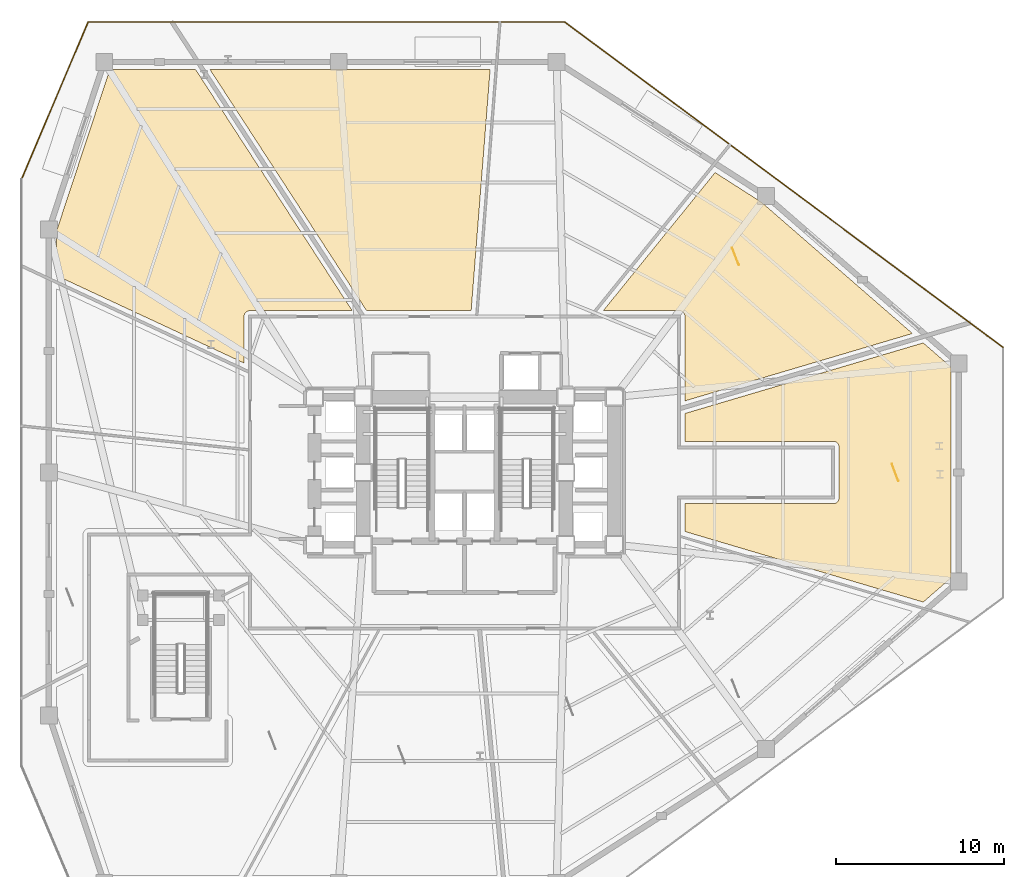
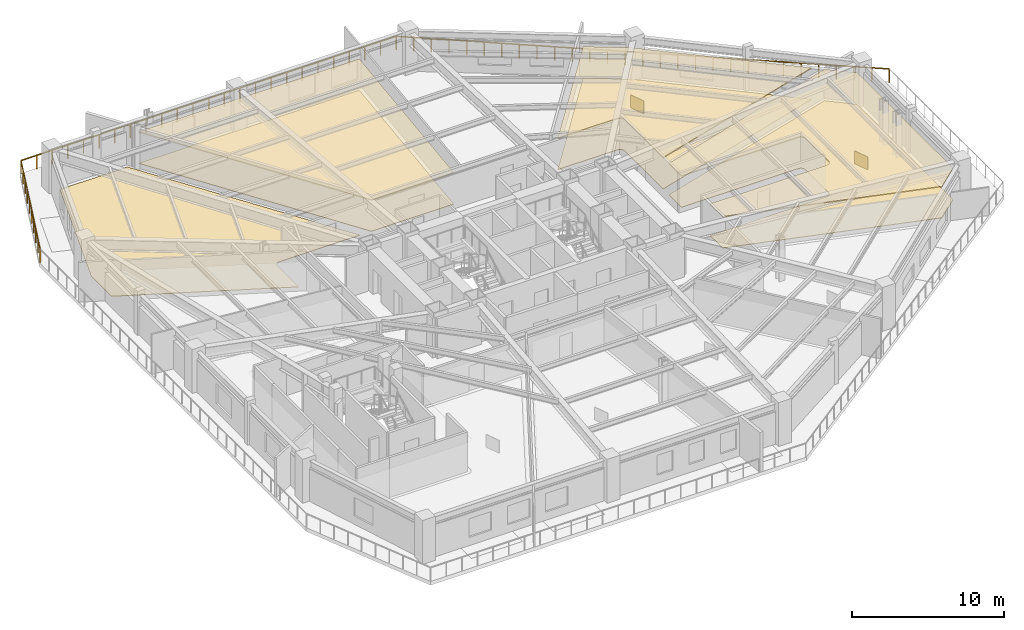
# One storey, part 10 of 10: 9 coverings, 1 railing.
"""IFC4 building model written with IfcOpenShell, lengths in metres."""

from ifc_helpers import new_model, si_unit, direction, frame, origin, origin_2d, place, context, subcontext, project, spatial, polyline, rectangle, outline, extrude, material, layer, layer_set, type_object, element, save


model = new_model("IFC4")

# Units and contexts
model_context = context("Model", 3, precision=1e-05, world=origin(), true_north=direction((0.0, 1.0)))
body_context = subcontext(model_context, "Body", "Model", "MODEL_VIEW")
ifc_project = project(units=[si_unit("LENGTHUNIT", "METRE"), si_unit("AREAUNIT", "SQUARE_METRE"), si_unit("VOLUMEUNIT", "CUBIC_METRE"), si_unit("PLANEANGLEUNIT", "RADIAN"), si_unit("MASSUNIT", "GRAM", prefix="KILO")], contexts=[model_context])

# Site, building, storey
site_placement = place(None, origin())
site = spatial("IfcSite", under=ifc_project, at=site_placement, CompositionType="ELEMENT")
building_placement = place(site_placement, origin())
building = spatial("IfcBuilding", under=site, at=building_placement, Name="Rocaltana Carrier Exchange", CompositionType="ELEMENT")
storey_placement = place(building_placement, frame((0.0, 0.0, 4.800048828125)))
storey = spatial("IfcBuildingStorey", under=building, at=storey_placement, Name="L02", CompositionType="ELEMENT", Elevation=4.800048828125)

# Coverings
ifc_material_1 = material(Name="Honed Bogota Sandstone Tile", Category="masonry")
ifc_layer_1 = layer(ifc_material_1, 0.0400390625)
ifc_layer_set_1 = layer_set([ifc_layer_1], Name="Honed Bogota Sandstone Tile")
covering_type_1 = type_object("IfcCoveringType", Name="Honed Stone Lobby Flooring 40", PredefinedType="FLOORING", material=ifc_layer_set_1)
covering_1_placement = place(storey_placement, origin())
element("IfcCovering", 1, at=covering_1_placement, inside=storey, type_object=covering_type_1, Name="L02 Peering Conference Room Finish Floor", PredefinedType="FLOORING", context=body_context, shape_type="SweptSolid", body=[
    extrude(outline(polyline([(29.0400390625, 6.290283203125), (29.0400390625, -6.290283203125), (27.379150390625, -7.734619140625), (13.159912109375, -3.522705078125), (13.159912109375, -1.860107421875), (22.0, -1.860107421875), (22.013671875, -1.859619140625), (22.021484375, -1.859375), (22.048828125, -1.856689453125), (22.056640625, -1.85546875), (22.08349609375, -1.85009765625), (22.09130859375, -1.84814453125), (22.11767578125, -1.840087890625), (22.125, -1.83740234375), (22.150390625, -1.826904296875), (22.157470703125, -1.82373046875), (22.181640625, -1.810791015625), (22.1884765625, -1.806640625), (22.211181640625, -1.79150390625), (22.217529296875, -1.78662109375), (22.23876953125, -1.769287109375), (22.24462890625, -1.763916015625), (22.263916015625, -1.74462890625), (22.269287109375, -1.73876953125), (22.28662109375, -1.717529296875), (22.29150390625, -1.711181640625), (22.306640625, -1.6884765625), (22.310791015625, -1.681640625), (22.32373046875, -1.657470703125), (22.326904296875, -1.650390625), (22.33740234375, -1.625), (22.340087890625, -1.61767578125), (22.34814453125, -1.59130859375), (22.35009765625, -1.58349609375), (22.35546875, -1.556640625), (22.356689453125, -1.548828125), (22.359375, -1.521484375), (22.359619140625, -1.513671875), (22.360107421875, -1.5), (22.360107421875, 1.5), (22.359619140625, 1.513671875), (22.359375, 1.521484375), (22.356689453125, 1.548828125), (22.35546875, 1.556640625), (22.35009765625, 1.58349609375), (22.34814453125, 1.59130859375), (22.340087890625, 1.61767578125), (22.33740234375, 1.625), (22.326904296875, 1.650390625), (22.32373046875, 1.657470703125), (22.310791015625, 1.681640625), (22.306640625, 1.6884765625), (22.29150390625, 1.711181640625), (22.28662109375, 1.717529296875), (22.269287109375, 1.73876953125), (22.263916015625, 1.74462890625), (22.24462890625, 1.763916015625), (22.23876953125, 1.769287109375), (22.217529296875, 1.78662109375), (22.211181640625, 1.79150390625), (22.1884765625, 1.806640625), (22.181640625, 1.810791015625), (22.157470703125, 1.82373046875), (22.150390625, 1.826904296875), (22.125, 1.83740234375), (22.11767578125, 1.840087890625), (22.09130859375, 1.84814453125), (22.08349609375, 1.85009765625), (22.056640625, 1.85546875), (22.048828125, 1.856689453125), (22.021484375, 1.859375), (22.013671875, 1.859619140625), (22.0, 1.860107421875), (13.159912109375, 1.860107421875), (13.159912109375, 3.522705078125), (27.379150390625, 7.734619140625), (29.0400390625, 6.290283203125)])), origin(), (0.0, 0.0, 1.0), 0.0400390625),
])
covering_2_placement = place(storey_placement, origin())
element("IfcCovering", 2, at=covering_2_placement, inside=storey, type_object=covering_type_1, Name="L02 Carrier Peering Suite Finish Floor", PredefinedType="FLOORING", context=body_context, shape_type="SweptSolid", body=[
    extrude(outline(polyline([(17.7236328125, 16.130615234375), (26.735107421875, 8.294677734375), (13.159912109375, 4.273681640625), (13.159912109375, 9.300048828125), (13.15966796875, 9.313720703125), (13.1591796875, 9.321533203125), (13.156494140625, 9.348876953125), (13.155517578125, 9.356689453125), (13.150146484375, 9.383544921875), (13.148193359375, 9.391357421875), (13.14013671875, 9.41748046875), (13.137451171875, 9.4248046875), (13.126953125, 9.4501953125), (13.123779296875, 9.45751953125), (13.110595703125, 9.481689453125), (13.106689453125, 9.48828125), (13.09130859375, 9.51123046875), (13.086669921875, 9.517578125), (13.0693359375, 9.538818359375), (13.06396484375, 9.544677734375), (13.044677734375, 9.56396484375), (13.038818359375, 9.5693359375), (13.017578125, 9.586669921875), (13.01123046875, 9.59130859375), (12.98828125, 9.606689453125), (12.981689453125, 9.610595703125), (12.95751953125, 9.623779296875), (12.9501953125, 9.626953125), (12.9248046875, 9.637451171875), (12.91748046875, 9.64013671875), (12.891357421875, 9.648193359375), (12.883544921875, 9.650146484375), (12.856689453125, 9.655517578125), (12.848876953125, 9.656494140625), (12.821533203125, 9.6591796875), (12.813720703125, 9.65966796875), (12.800048828125, 9.659912109375), (8.28564453125, 9.659912109375), (14.95849609375, 17.900390625), (17.7236328125, 16.130615234375)])), origin(), (0.0, 0.0, 1.0), 0.0400390625),
])
covering_3_placement = place(storey_placement, origin())
element("IfcCovering", 3, at=covering_3_placement, inside=storey, type_object=covering_type_1, Name="L02 Carrier Peering Suite Finish Floor", PredefinedType="FLOORING", context=body_context, shape_type="SweptSolid", body=[
    extrude(outline(polyline([(1.531005859375, 24.0400390625), (0.399169921875, 9.659912109375), (-5.843994140625, 9.659912109375), (-15.1826171875, 24.0400390625), (1.531005859375, 24.0400390625)])), origin(), (0.0, 0.0, 1.0), 0.0400390625),
])
covering_4_placement = place(storey_placement, origin())
element("IfcCovering", 4, at=covering_4_placement, inside=storey, type_object=covering_type_1, Name="L02 Carrier Peering Suite Finish Floor", PredefinedType="FLOORING", context=body_context, shape_type="SweptSolid", body=[
    extrude(outline(polyline([(-24.340087890625, 14.426025390625), (-21.16748046875, 24.0400390625), (-16.041015625, 24.0400390625), (-6.702392578125, 9.659912109375), (-12.800048828125, 9.659912109375), (-12.813720703125, 9.65966796875), (-12.821533203125, 9.6591796875), (-12.848876953125, 9.656494140625), (-12.856689453125, 9.655517578125), (-12.883544921875, 9.650146484375), (-12.891357421875, 9.648193359375), (-12.91748046875, 9.64013671875), (-12.9248046875, 9.637451171875), (-12.9501953125, 9.626953125), (-12.95751953125, 9.623779296875), (-12.981689453125, 9.610595703125), (-12.98828125, 9.606689453125), (-13.01123046875, 9.59130859375), (-13.017578125, 9.586669921875), (-13.038818359375, 9.5693359375), (-13.044677734375, 9.56396484375), (-13.06396484375, 9.544677734375), (-13.0693359375, 9.538818359375), (-13.086669921875, 9.517578125), (-13.09130859375, 9.51123046875), (-13.106689453125, 9.48828125), (-13.110595703125, 9.481689453125), (-13.123779296875, 9.45751953125), (-13.126953125, 9.4501953125), (-13.137451171875, 9.4248046875), (-13.14013671875, 9.41748046875), (-13.148193359375, 9.391357421875), (-13.150146484375, 9.383544921875), (-13.155517578125, 9.356689453125), (-13.156494140625, 9.348876953125), (-13.1591796875, 9.321533203125), (-13.15966796875, 9.313720703125), (-13.159912109375, 9.300048828125), (-13.159912109375, 6.53369140625), (-24.340087890625, 11.7470703125), (-24.340087890625, 14.426025390625)])), origin(), (0.0, 0.0, 1.0), 0.0400390625),
])
ifc_material_2 = material(Name="Anodised Aluminium 6063-T6", Category="aluminium")
ifc_layer_2 = layer(ifc_material_2, 0.0849609375)
ifc_layer_set_2 = layer_set([ifc_layer_2], Name="Anodised Aluminium 6063-T6")
covering_type_2 = type_object("IfcCoveringType", Name="Linear Baffle Acoustic Ceiling 85", PredefinedType="CEILING", material=ifc_layer_set_2)
covering_5_placement = place(storey_placement, frame((0.0, 0.0, 2.48291015625)))
element("IfcCovering", 5, at=covering_5_placement, inside=storey, type_object=covering_type_2, Name="L02 Peering Conference Room Acoustic Ceiling", PredefinedType="CEILING", context=body_context, shape_type="SweptSolid", body=[
    extrude(outline(polyline([(29.0400390625, 6.290283203125), (29.0400390625, -6.290283203125), (27.379150390625, -7.734619140625), (13.159912109375, -3.522705078125), (13.159912109375, -1.860107421875), (22.0, -1.860107421875), (22.013671875, -1.859619140625), (22.021484375, -1.859375), (22.048828125, -1.856689453125), (22.056640625, -1.85546875), (22.08349609375, -1.85009765625), (22.09130859375, -1.84814453125), (22.11767578125, -1.840087890625), (22.125, -1.83740234375), (22.150390625, -1.826904296875), (22.157470703125, -1.82373046875), (22.181640625, -1.810791015625), (22.1884765625, -1.806640625), (22.211181640625, -1.79150390625), (22.217529296875, -1.78662109375), (22.23876953125, -1.769287109375), (22.24462890625, -1.763916015625), (22.263916015625, -1.74462890625), (22.269287109375, -1.73876953125), (22.28662109375, -1.717529296875), (22.29150390625, -1.711181640625), (22.306640625, -1.6884765625), (22.310791015625, -1.681640625), (22.32373046875, -1.657470703125), (22.326904296875, -1.650390625), (22.33740234375, -1.625), (22.340087890625, -1.61767578125), (22.34814453125, -1.59130859375), (22.35009765625, -1.58349609375), (22.35546875, -1.556640625), (22.356689453125, -1.548828125), (22.359375, -1.521484375), (22.359619140625, -1.513671875), (22.360107421875, -1.5), (22.360107421875, 1.5), (22.359619140625, 1.513671875), (22.359375, 1.521484375), (22.356689453125, 1.548828125), (22.35546875, 1.556640625), (22.35009765625, 1.58349609375), (22.34814453125, 1.59130859375), (22.340087890625, 1.61767578125), (22.33740234375, 1.625), (22.326904296875, 1.650390625), (22.32373046875, 1.657470703125), (22.310791015625, 1.681640625), (22.306640625, 1.6884765625), (22.29150390625, 1.711181640625), (22.28662109375, 1.717529296875), (22.269287109375, 1.73876953125), (22.263916015625, 1.74462890625), (22.24462890625, 1.763916015625), (22.23876953125, 1.769287109375), (22.217529296875, 1.78662109375), (22.211181640625, 1.79150390625), (22.1884765625, 1.806640625), (22.181640625, 1.810791015625), (22.157470703125, 1.82373046875), (22.150390625, 1.826904296875), (22.125, 1.83740234375), (22.11767578125, 1.840087890625), (22.09130859375, 1.84814453125), (22.08349609375, 1.85009765625), (22.056640625, 1.85546875), (22.048828125, 1.856689453125), (22.021484375, 1.859375), (22.013671875, 1.859619140625), (22.0, 1.860107421875), (13.159912109375, 1.860107421875), (13.159912109375, 3.522705078125), (27.379150390625, 7.734619140625), (29.0400390625, 6.290283203125)])), origin(), (0.0, 0.0, 1.0), 0.0849609375),
])
covering_6_placement = place(storey_placement, frame((0.0, 0.0, 2.48291015625)))
element("IfcCovering", 6, at=covering_6_placement, inside=storey, type_object=covering_type_2, Name="L02 Carrier Peering Suite Acoustic Ceiling", PredefinedType="CEILING", context=body_context, shape_type="SweptSolid", body=[
    extrude(outline(polyline([(17.7236328125, 16.130615234375), (26.735107421875, 8.294677734375), (13.159912109375, 4.273681640625), (13.159912109375, 9.300048828125), (13.15966796875, 9.313720703125), (13.1591796875, 9.321533203125), (13.156494140625, 9.348876953125), (13.155517578125, 9.356689453125), (13.150146484375, 9.383544921875), (13.148193359375, 9.391357421875), (13.14013671875, 9.41748046875), (13.137451171875, 9.4248046875), (13.126953125, 9.4501953125), (13.123779296875, 9.45751953125), (13.110595703125, 9.481689453125), (13.106689453125, 9.48828125), (13.09130859375, 9.51123046875), (13.086669921875, 9.517578125), (13.0693359375, 9.538818359375), (13.06396484375, 9.544677734375), (13.044677734375, 9.56396484375), (13.038818359375, 9.5693359375), (13.017578125, 9.586669921875), (13.01123046875, 9.59130859375), (12.98828125, 9.606689453125), (12.981689453125, 9.610595703125), (12.95751953125, 9.623779296875), (12.9501953125, 9.626953125), (12.9248046875, 9.637451171875), (12.91748046875, 9.64013671875), (12.891357421875, 9.648193359375), (12.883544921875, 9.650146484375), (12.856689453125, 9.655517578125), (12.848876953125, 9.656494140625), (12.821533203125, 9.6591796875), (12.813720703125, 9.65966796875), (12.800048828125, 9.659912109375), (8.28564453125, 9.659912109375), (14.95849609375, 17.900390625), (17.7236328125, 16.130615234375)])), origin(), (0.0, 0.0, 1.0), 0.0849609375),
])
covering_7_placement = place(storey_placement, frame((0.0, 0.0, 2.48291015625)))
element("IfcCovering", 7, at=covering_7_placement, inside=storey, type_object=covering_type_2, Name="L02 Carrier Peering Suite Acoustic Ceiling", PredefinedType="CEILING", context=body_context, shape_type="SweptSolid", body=[
    extrude(outline(polyline([(1.531005859375, 24.0400390625), (0.399169921875, 9.659912109375), (-5.843994140625, 9.659912109375), (-15.1826171875, 24.0400390625), (1.531005859375, 24.0400390625)])), origin(), (0.0, 0.0, 1.0), 0.0849609375),
])
ifc_material_3 = material(Name="Honed Piedra Muneca Sandstone", Category="masonry")
ifc_layer_3 = layer(ifc_material_3, 0.034912109375)
ifc_layer_set_3 = layer_set([ifc_layer_3], Name="Honed Piedra Muneca Sandstone")
covering_type_3 = type_object("IfcCoveringType", Name="Stone Facade Cladding 35", PredefinedType="CLADDING", material=ifc_layer_set_3)
for number, where, z_axis, x_axis, name in (
    (8, (25.699951171875, 0.0, 0.0), (0.0, 0.0, 1.0), (-0.358367949545, 0.933580426497, 0.0), "L02 Stone Facade Cladding Panel 6"),
    (9, (16.175048828125, 12.8955078125, 0.0), (0.0, 0.0, 1.0), (-0.358367949545, 0.933580426497, 0.0), "L02 Stone Facade Cladding Panel 7"),
):
    element("IfcCovering", number, at=place(storey_placement, frame(where, z_axis=z_axis, x_axis=x_axis)), inside=storey, type_object=covering_type_3, Name=name, PredefinedType="CLADDING", context=body_context, shape_type="SweptSolid", body=[
        extrude(rectangle(XDim=1.10009765625, YDim=0.034912109375, at=origin_2d()), origin(), (0.0, 0.0, 1.0), 1.050048828125),
    ])

# Railing
ifc_material_4 = material(Name="Powder-Coated Aluminium 6063-T6", Category="aluminium")
ifc_layer_4 = layer(ifc_material_4, 0.06005859375)
ifc_layer_set_4 = layer_set([ifc_layer_4], Name="Powder-Coated Aluminium 6063-T6")
railing_type = type_object("IfcRailingType", Name="Wind-Floor & Terrace Perimeter Guardrail 1100", PredefinedType="GUARDRAIL", material=ifc_layer_set_4)
railing_placement = place(storey_placement, frame((-26.43994140625, 17.48779296875, 0.0)))
element("IfcRailing", 10, at=railing_placement, inside=storey, type_object=railing_type, Name="L02 Perimeter Balcony Guardrail 2", PredefinedType="GUARDRAIL", context=body_context, shape_type="SweptSolid", body=[
    extrude(rectangle(XDim=0.048095703125, YDim=0.048095703125, at=origin_2d()), frame((0.0, 0.0, 1.076171875), z_axis=(0.389799902601, 0.920899579722, 0.0), x_axis=(-0.920899579722, 0.389799902601, 0.0)), (0.0, 0.0, 1.0), 10.209716796875),
    extrude(rectangle(XDim=0.048095703125, YDim=0.048095703125, at=origin_2d()), frame((3.979736328125, 9.402099609375, 1.076171875), z_axis=(1.0, 0.0, 0.0), x_axis=(0.0, 1.0, 0.0)), (0.0, 0.0, 1.0), 28.4404296875),
    extrude(rectangle(XDim=0.048095703125, YDim=0.048095703125, at=origin_2d()), frame((32.420166015625, 9.402099609375, 1.076171875), z_axis=(0.802930850868, -0.596072184156, 0.0), x_axis=(0.596072184156, 0.802930850868, 0.0)), (0.0, 0.0, 1.0), 32.580322265625),
    extrude(rectangle(XDim=0.0419921875, YDim=0.0419921875, at=origin_2d()), origin(), (0.0, 0.0, 1.0), 1.052001953125),
    extrude(rectangle(XDim=0.0419921875, YDim=0.0419921875, at=origin_2d()), frame((0.442138671875, 1.044677734375, 0.0)), (0.0, 0.0, 1.0), 1.052001953125),
    extrude(rectangle(XDim=0.0419921875, YDim=0.0419921875, at=origin_2d()), frame((0.88427734375, 2.08935546875, 0.0)), (0.0, 0.0, 1.0), 1.052001953125),
    extrude(rectangle(XDim=0.0419921875, YDim=0.0419921875, at=origin_2d()), frame((1.32666015625, 3.134033203125, 0.0)), (0.0, 0.0, 1.0), 1.052001953125),
    extrude(rectangle(XDim=0.0419921875, YDim=0.0419921875, at=origin_2d()), frame((1.768798828125, 4.1787109375, 0.0)), (0.0, 0.0, 1.0), 1.052001953125),
    extrude(rectangle(XDim=0.0419921875, YDim=0.0419921875, at=origin_2d()), frame((2.2109375, 5.223388671875, 0.0)), (0.0, 0.0, 1.0), 1.052001953125),
    extrude(rectangle(XDim=0.0419921875, YDim=0.0419921875, at=origin_2d()), frame((2.653076171875, 6.26806640625, 0.0)), (0.0, 0.0, 1.0), 1.052001953125),
    extrude(rectangle(XDim=0.0419921875, YDim=0.0419921875, at=origin_2d()), frame((3.095458984375, 7.312744140625, 0.0)), (0.0, 0.0, 1.0), 1.052001953125),
    extrude(rectangle(XDim=0.0419921875, YDim=0.0419921875, at=origin_2d()), frame((3.53759765625, 8.357421875, 0.0)), (0.0, 0.0, 1.0), 1.052001953125),
    extrude(rectangle(XDim=0.0419921875, YDim=0.0419921875, at=origin_2d()), frame((3.979736328125, 9.402099609375, 0.0)), (0.0, 0.0, 1.0), 1.052001953125),
    extrude(rectangle(XDim=0.0419921875, YDim=0.0419921875, at=origin_2d()), frame((5.164794921875, 9.402099609375, 0.0)), (0.0, 0.0, 1.0), 1.052001953125),
    extrude(rectangle(XDim=0.0419921875, YDim=0.0419921875, at=origin_2d()), frame((6.349853515625, 9.402099609375, 0.0)), (0.0, 0.0, 1.0), 1.052001953125),
    extrude(rectangle(XDim=0.0419921875, YDim=0.0419921875, at=origin_2d()), frame((7.53466796875, 9.402099609375, 0.0)), (0.0, 0.0, 1.0), 1.052001953125),
    extrude(rectangle(XDim=0.0419921875, YDim=0.0419921875, at=origin_2d()), frame((8.7197265625, 9.402099609375, 0.0)), (0.0, 0.0, 1.0), 1.052001953125),
    extrude(rectangle(XDim=0.0419921875, YDim=0.0419921875, at=origin_2d()), frame((9.90478515625, 9.402099609375, 0.0)), (0.0, 0.0, 1.0), 1.052001953125),
    extrude(rectangle(XDim=0.0419921875, YDim=0.0419921875, at=origin_2d()), frame((11.08984375, 9.402099609375, 0.0)), (0.0, 0.0, 1.0), 1.052001953125),
    extrude(rectangle(XDim=0.0419921875, YDim=0.0419921875, at=origin_2d()), frame((12.27490234375, 9.402099609375, 0.0)), (0.0, 0.0, 1.0), 1.052001953125),
    extrude(rectangle(XDim=0.0419921875, YDim=0.0419921875, at=origin_2d()), frame((13.4599609375, 9.402099609375, 0.0)), (0.0, 0.0, 1.0), 1.052001953125),
    extrude(rectangle(XDim=0.0419921875, YDim=0.0419921875, at=origin_2d()), frame((14.64501953125, 9.402099609375, 0.0)), (0.0, 0.0, 1.0), 1.052001953125),
    extrude(rectangle(XDim=0.0419921875, YDim=0.0419921875, at=origin_2d()), frame((15.829833984375, 9.402099609375, 0.0)), (0.0, 0.0, 1.0), 1.052001953125),
    extrude(rectangle(XDim=0.0419921875, YDim=0.0419921875, at=origin_2d()), frame((17.014892578125, 9.402099609375, 0.0)), (0.0, 0.0, 1.0), 1.052001953125),
    extrude(rectangle(XDim=0.0419921875, YDim=0.0419921875, at=origin_2d()), frame((18.199951171875, 9.402099609375, 0.0)), (0.0, 0.0, 1.0), 1.052001953125),
    extrude(rectangle(XDim=0.0419921875, YDim=0.0419921875, at=origin_2d()), frame((19.385009765625, 9.402099609375, 0.0)), (0.0, 0.0, 1.0), 1.052001953125),
    extrude(rectangle(XDim=0.0419921875, YDim=0.0419921875, at=origin_2d()), frame((20.570068359375, 9.402099609375, 0.0)), (0.0, 0.0, 1.0), 1.052001953125),
    extrude(rectangle(XDim=0.0419921875, YDim=0.0419921875, at=origin_2d()), frame((21.7548828125, 9.402099609375, 0.0)), (0.0, 0.0, 1.0), 1.052001953125),
    extrude(rectangle(XDim=0.0419921875, YDim=0.0419921875, at=origin_2d()), frame((22.93994140625, 9.402099609375, 0.0)), (0.0, 0.0, 1.0), 1.052001953125),
    extrude(rectangle(XDim=0.0419921875, YDim=0.0419921875, at=origin_2d()), frame((24.125, 9.402099609375, 0.0)), (0.0, 0.0, 1.0), 1.052001953125),
    extrude(rectangle(XDim=0.0419921875, YDim=0.0419921875, at=origin_2d()), frame((25.31005859375, 9.402099609375, 0.0)), (0.0, 0.0, 1.0), 1.052001953125),
    extrude(rectangle(XDim=0.0419921875, YDim=0.0419921875, at=origin_2d()), frame((26.4951171875, 9.402099609375, 0.0)), (0.0, 0.0, 1.0), 1.052001953125),
    extrude(rectangle(XDim=0.0419921875, YDim=0.0419921875, at=origin_2d()), frame((27.68017578125, 9.402099609375, 0.0)), (0.0, 0.0, 1.0), 1.052001953125),
    extrude(rectangle(XDim=0.0419921875, YDim=0.0419921875, at=origin_2d()), frame((28.865234375, 9.402099609375, 0.0)), (0.0, 0.0, 1.0), 1.052001953125),
    extrude(rectangle(XDim=0.0419921875, YDim=0.0419921875, at=origin_2d()), frame((30.050048828125, 9.402099609375, 0.0)), (0.0, 0.0, 1.0), 1.052001953125),
    extrude(rectangle(XDim=0.0419921875, YDim=0.0419921875, at=origin_2d()), frame((31.235107421875, 9.402099609375, 0.0)), (0.0, 0.0, 1.0), 1.052001953125),
    extrude(rectangle(XDim=0.0419921875, YDim=0.0419921875, at=origin_2d()), frame((32.420166015625, 9.402099609375, 0.0)), (0.0, 0.0, 1.0), 1.052001953125),
    extrude(rectangle(XDim=0.0419921875, YDim=0.0419921875, at=origin_2d()), frame((33.3544921875, 8.70849609375, 0.0)), (0.0, 0.0, 1.0), 1.052001953125),
    extrude(rectangle(XDim=0.0419921875, YDim=0.0419921875, at=origin_2d()), frame((34.288818359375, 8.014892578125, 0.0)), (0.0, 0.0, 1.0), 1.052001953125),
    extrude(rectangle(XDim=0.0419921875, YDim=0.0419921875, at=origin_2d()), frame((35.222900390625, 7.3212890625, 0.0)), (0.0, 0.0, 1.0), 1.052001953125),
    extrude(rectangle(XDim=0.0419921875, YDim=0.0419921875, at=origin_2d()), frame((36.1572265625, 6.627685546875, 0.0)), (0.0, 0.0, 1.0), 1.052001953125),
    extrude(rectangle(XDim=0.0419921875, YDim=0.0419921875, at=origin_2d()), frame((37.091552734375, 5.934326171875, 0.0)), (0.0, 0.0, 1.0), 1.052001953125),
    extrude(rectangle(XDim=0.0419921875, YDim=0.0419921875, at=origin_2d()), frame((38.02587890625, 5.24072265625, 0.0)), (0.0, 0.0, 1.0), 1.052001953125),
    extrude(rectangle(XDim=0.0419921875, YDim=0.0419921875, at=origin_2d()), frame((38.9599609375, 4.547119140625, 0.0)), (0.0, 0.0, 1.0), 1.052001953125),
    extrude(rectangle(XDim=0.0419921875, YDim=0.0419921875, at=origin_2d()), frame((39.894287109375, 3.853515625, 0.0)), (0.0, 0.0, 1.0), 1.052001953125),
    extrude(rectangle(XDim=0.0419921875, YDim=0.0419921875, at=origin_2d()), frame((40.82861328125, 3.159912109375, 0.0)), (0.0, 0.0, 1.0), 1.052001953125),
    extrude(rectangle(XDim=0.0419921875, YDim=0.0419921875, at=origin_2d()), frame((41.762939453125, 2.46630859375, 0.0)), (0.0, 0.0, 1.0), 1.052001953125),
    extrude(rectangle(XDim=0.0419921875, YDim=0.0419921875, at=origin_2d()), frame((42.697265625, 1.772705078125, 0.0)), (0.0, 0.0, 1.0), 1.052001953125),
    extrude(rectangle(XDim=0.0419921875, YDim=0.0419921875, at=origin_2d()), frame((43.63134765625, 1.0791015625, 0.0)), (0.0, 0.0, 1.0), 1.052001953125),
    extrude(rectangle(XDim=0.0419921875, YDim=0.0419921875, at=origin_2d()), frame((44.565673828125, 0.385498046875, 0.0)), (0.0, 0.0, 1.0), 1.052001953125),
    extrude(rectangle(XDim=0.0419921875, YDim=0.0419921875, at=origin_2d()), frame((45.5, -0.30810546875, 0.0)), (0.0, 0.0, 1.0), 1.052001953125),
    extrude(rectangle(XDim=0.0419921875, YDim=0.0419921875, at=origin_2d()), frame((46.434326171875, -1.00146484375, 0.0)), (0.0, 0.0, 1.0), 1.052001953125),
    extrude(rectangle(XDim=0.0419921875, YDim=0.0419921875, at=origin_2d()), frame((47.36865234375, -1.695068359375, 0.0)), (0.0, 0.0, 1.0), 1.052001953125),
    extrude(rectangle(XDim=0.0419921875, YDim=0.0419921875, at=origin_2d()), frame((48.302734375, -2.388671875, 0.0)), (0.0, 0.0, 1.0), 1.052001953125),
    extrude(rectangle(XDim=0.0419921875, YDim=0.0419921875, at=origin_2d()), frame((49.237060546875, -3.082275390625, 0.0)), (0.0, 0.0, 1.0), 1.052001953125),
    extrude(rectangle(XDim=0.0419921875, YDim=0.0419921875, at=origin_2d()), frame((50.17138671875, -3.77587890625, 0.0)), (0.0, 0.0, 1.0), 1.052001953125),
    extrude(rectangle(XDim=0.0419921875, YDim=0.0419921875, at=origin_2d()), frame((51.105712890625, -4.469482421875, 0.0)), (0.0, 0.0, 1.0), 1.052001953125),
    extrude(rectangle(XDim=0.0419921875, YDim=0.0419921875, at=origin_2d()), frame((52.0400390625, -5.1630859375, 0.0)), (0.0, 0.0, 1.0), 1.052001953125),
    extrude(rectangle(XDim=0.0419921875, YDim=0.0419921875, at=origin_2d()), frame((52.97412109375, -5.856689453125, 0.0)), (0.0, 0.0, 1.0), 1.052001953125),
    extrude(rectangle(XDim=0.0419921875, YDim=0.0419921875, at=origin_2d()), frame((53.908447265625, -6.55029296875, 0.0)), (0.0, 0.0, 1.0), 1.052001953125),
    extrude(rectangle(XDim=0.0419921875, YDim=0.0419921875, at=origin_2d()), frame((54.8427734375, -7.24365234375, 0.0)), (0.0, 0.0, 1.0), 1.052001953125),
    extrude(rectangle(XDim=0.0419921875, YDim=0.0419921875, at=origin_2d()), frame((55.777099609375, -7.937255859375, 0.0)), (0.0, 0.0, 1.0), 1.052001953125),
    extrude(rectangle(XDim=0.0419921875, YDim=0.0419921875, at=origin_2d()), frame((56.711181640625, -8.630859375, 0.0)), (0.0, 0.0, 1.0), 1.052001953125),
    extrude(rectangle(XDim=0.0419921875, YDim=0.0419921875, at=origin_2d()), frame((57.6455078125, -9.324462890625, 0.0)), (0.0, 0.0, 1.0), 1.052001953125),
    extrude(rectangle(XDim=0.0419921875, YDim=0.0419921875, at=origin_2d()), frame((58.579833984375, -10.01806640625, 0.0)), (0.0, 0.0, 1.0), 1.052001953125),
])

save(model, "model.ifc")
